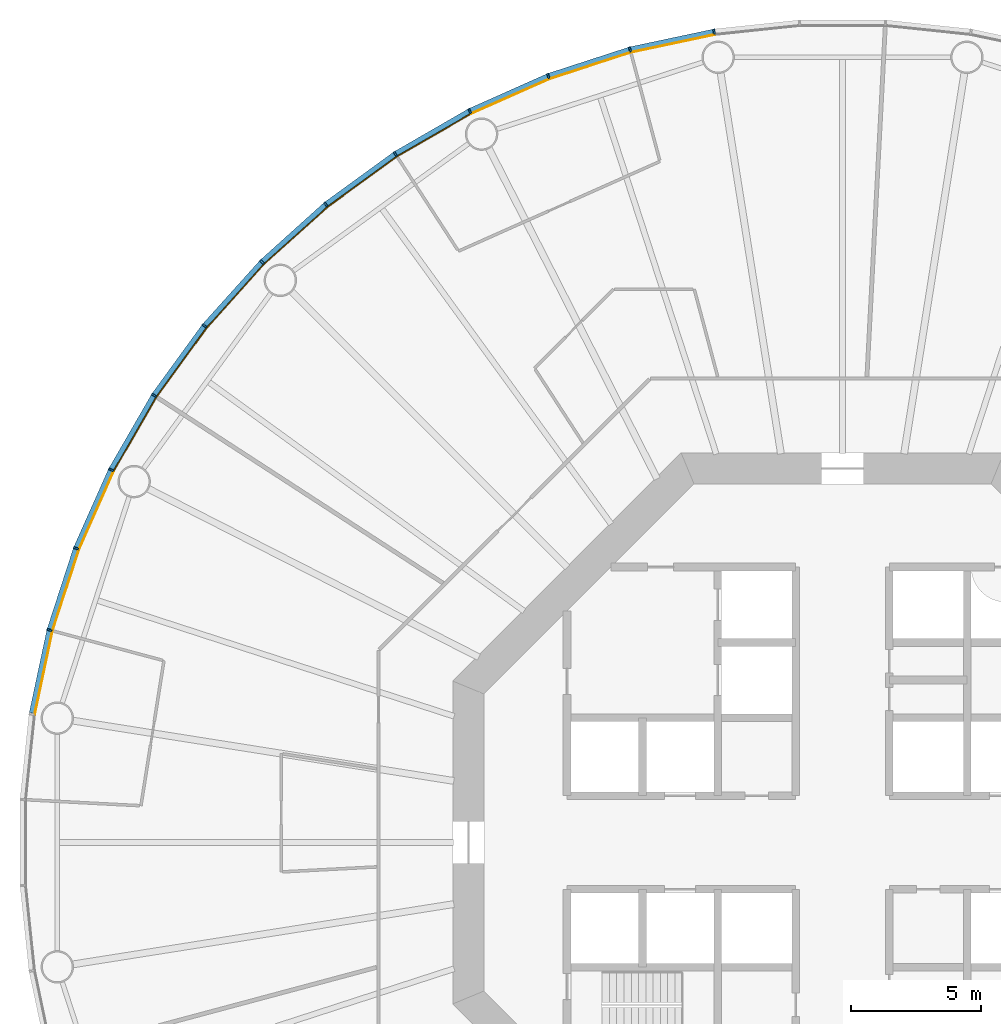
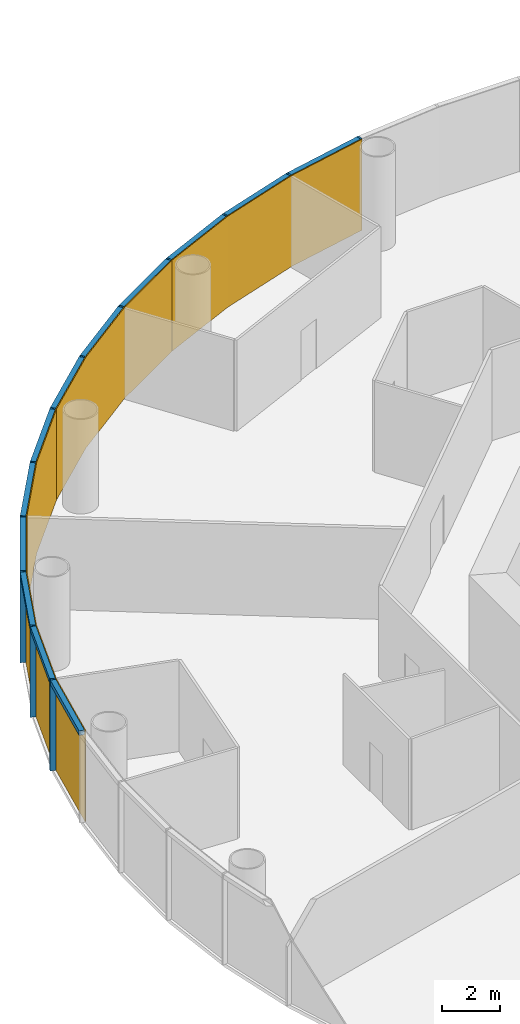
# One storey, part 10 of 13: 24 members, 4 curtain walls.
"""IFC4 building model written with IfcOpenShell, lengths in metres."""

from ifc_helpers import new_model, si_unit, direction, frame, origin, origin_2d, place, context, subcontext, project, spatial, polyline, rectangle, outline, extrude, material, layer, layer_set, material_profile, profile_set, type_object, element, aggregate, save


model = new_model("IFC4")

# Units and contexts
model_context = context("Model", 3, precision=1e-05, world=origin(), true_north=direction((0.0, 1.0)))
body_context = subcontext(model_context, "Body", "Model", "MODEL_VIEW")
ifc_project = project(units=[si_unit("LENGTHUNIT", "METRE"), si_unit("AREAUNIT", "SQUARE_METRE"), si_unit("VOLUMEUNIT", "CUBIC_METRE"), si_unit("PLANEANGLEUNIT", "RADIAN"), si_unit("MASSUNIT", "GRAM", prefix="KILO")], contexts=[model_context])

# Member
ifc_material_1 = material(Name="Anodised aluminium", Category="aluminium")
ifc_material_profile_1 = material_profile(ifc_material_1, rectangle(XDim=0.070068359375, YDim=0.199951171875, at=origin_2d()), Name="Mullion 70 x 200 mm anodised aluminium")
ifc_profile_set_1 = profile_set([ifc_material_profile_1], Name="Anodised aluminium")
member_type_1 = type_object("IfcMemberType", Name="Mullion 70 x 200 mm anodised aluminium", PredefinedType="MULLION", material=ifc_profile_set_1)
site_placement = place(None, origin())
building_placement = place(site_placement, origin())
storey_placement = place(building_placement, frame((0.0, 0.0, 84.0)))
member_1_placement = place(storey_placement, frame((85.056640625, 111.2109375, 0.0), z_axis=(0.0, 0.0, 1.0), x_axis=(-0.987688340595, -0.15643446504, 0.0)))
member_1 = element("IfcMember", 1, at=member_1_placement, type_object=member_type_1, Name="MULLION L18-15", PredefinedType="MULLION", context=body_context, shape_type="SweptSolid", body=[
    extrude(rectangle(XDim=0.070068359375, YDim=0.199951171875, at=origin_2d()), origin(), (0.0, 0.0, 1.0), 3.85009765625),
])

member_2_placement = place(storey_placement, frame((81.8212890625, 110.523193359375, 0.0), z_axis=(0.0, 0.0, 1.0), x_axis=(-0.965925826289, -0.258819045103, 0.0)))
member_2 = element("IfcMember", 2, at=member_2_placement, type_object=member_type_1, Name="MULLION L18-16", PredefinedType="MULLION", context=body_context, shape_type="SweptSolid", body=[
    extrude(rectangle(XDim=0.070068359375, YDim=0.199951171875, at=origin_2d()), origin(), (0.0, 0.0, 1.0), 3.85009765625),
])

member_3_placement = place(storey_placement, frame((78.675537109375, 109.501220703125, 0.0), z_axis=(0.0, 0.0, 1.0), x_axis=(-0.933580426497, -0.358367949545, 0.0)))
member_3 = element("IfcMember", 3, at=member_3_placement, type_object=member_type_1, Name="MULLION L18-17", PredefinedType="MULLION", context=body_context, shape_type="SweptSolid", body=[
    extrude(rectangle(XDim=0.070068359375, YDim=0.199951171875, at=origin_2d()), origin(), (0.0, 0.0, 1.0), 3.85009765625),
])

member_4_placement = place(storey_placement, frame((75.65380859375, 108.15576171875, 0.0), z_axis=(0.0, 0.0, 1.0), x_axis=(-0.891006524188, -0.45399049974, 0.0)))
member_4 = element("IfcMember", 4, at=member_4_placement, type_object=member_type_1, Name="MULLION L18-18", PredefinedType="MULLION", context=body_context, shape_type="SweptSolid", body=[
    extrude(rectangle(XDim=0.070068359375, YDim=0.199951171875, at=origin_2d()), origin(), (0.0, 0.0, 1.0), 3.85009765625),
])

member_5_placement = place(storey_placement, frame((72.789306640625, 106.501953125, 0.0), z_axis=(0.0, 0.0, 1.0), x_axis=(-0.838670567945, -0.544639035015, 0.0)))
member_5 = element("IfcMember", 5, at=member_5_placement, type_object=member_type_1, Name="MULLION L18-19", PredefinedType="MULLION", context=body_context, shape_type="SweptSolid", body=[
    extrude(rectangle(XDim=0.070068359375, YDim=0.199951171875, at=origin_2d()), origin(), (0.0, 0.0, 1.0), 3.85009765625),
])

member_6_placement = place(storey_placement, frame((70.113525390625, 104.557861328125, 0.0), z_axis=(0.0, 0.0, 1.0), x_axis=(-0.777145961457, -0.62932039105, 0.0)))
member_6 = element("IfcMember", 6, at=member_6_placement, type_object=member_type_1, Name="MULLION L18-20", PredefinedType="MULLION", context=body_context, shape_type="SweptSolid", body=[
    extrude(rectangle(XDim=0.070068359375, YDim=0.199951171875, at=origin_2d()), origin(), (0.0, 0.0, 1.0), 3.85009765625),
])

member_7_placement = place(storey_placement, frame((67.655517578125, 102.344482421875, 0.0), z_axis=(0.0, 0.0, 1.0), x_axis=(-0.707106781187, -0.707106781187, 0.0)))
member_7 = element("IfcMember", 7, at=member_7_placement, type_object=member_type_1, Name="MULLION L18-21", PredefinedType="MULLION", context=body_context, shape_type="SweptSolid", body=[
    extrude(rectangle(XDim=0.070068359375, YDim=0.199951171875, at=origin_2d()), origin(), (0.0, 0.0, 1.0), 3.85009765625),
])

member_8_placement = place(storey_placement, frame((65.442138671875, 99.886474609375, 0.0), z_axis=(0.0, 0.0, 1.0), x_axis=(-0.62932039105, -0.777145961457, 0.0)))
member_8 = element("IfcMember", 8, at=member_8_placement, type_object=member_type_1, Name="MULLION L18-22", PredefinedType="MULLION", context=body_context, shape_type="SweptSolid", body=[
    extrude(rectangle(XDim=0.070068359375, YDim=0.199951171875, at=origin_2d()), origin(), (0.0, 0.0, 1.0), 3.85009765625),
])

member_9_placement = place(storey_placement, frame((63.498046875, 97.210693359375, 0.0), z_axis=(0.0, 0.0, 1.0), x_axis=(-0.544639035015, -0.838670567945, 0.0)))
member_9 = element("IfcMember", 9, at=member_9_placement, type_object=member_type_1, Name="MULLION L18-23", PredefinedType="MULLION", context=body_context, shape_type="SweptSolid", body=[
    extrude(rectangle(XDim=0.070068359375, YDim=0.199951171875, at=origin_2d()), origin(), (0.0, 0.0, 1.0), 3.85009765625),
])

member_10_placement = place(storey_placement, frame((61.84423828125, 94.34619140625, 0.0), z_axis=(0.0, 0.0, 1.0), x_axis=(-0.45399049974, -0.891006524188, 0.0)))
member_10 = element("IfcMember", 10, at=member_10_placement, type_object=member_type_1, Name="MULLION L18-24", PredefinedType="MULLION", context=body_context, shape_type="SweptSolid", body=[
    extrude(rectangle(XDim=0.070068359375, YDim=0.199951171875, at=origin_2d()), origin(), (0.0, 0.0, 1.0), 3.85009765625),
])

member_11_placement = place(storey_placement, frame((60.498779296875, 91.324462890625, 0.0), z_axis=(0.0, 0.0, 1.0), x_axis=(-0.358367949545, -0.933580426497, 0.0)))
member_11 = element("IfcMember", 11, at=member_11_placement, type_object=member_type_1, Name="MULLION L18-25", PredefinedType="MULLION", context=body_context, shape_type="SweptSolid", body=[
    extrude(rectangle(XDim=0.070068359375, YDim=0.199951171875, at=origin_2d()), origin(), (0.0, 0.0, 1.0), 3.85009765625),
])

member_12_placement = place(storey_placement, frame((59.476806640625, 88.1787109375, 0.0), z_axis=(0.0, 0.0, 1.0), x_axis=(-0.258819045103, -0.965925826289, 0.0)))
member_12 = element("IfcMember", 12, at=member_12_placement, type_object=member_type_1, Name="MULLION L18-26", PredefinedType="MULLION", context=body_context, shape_type="SweptSolid", body=[
    extrude(rectangle(XDim=0.070068359375, YDim=0.199951171875, at=origin_2d()), origin(), (0.0, 0.0, 1.0), 3.85009765625),
])

ifc_material_2 = material(Name="Anodised aluminium", Category="aluminium")
ifc_material_profile_2 = material_profile(ifc_material_2, rectangle(XDim=0.199951171875, YDim=0.18994140625, at=origin_2d()), Name="Transom 190 x 200 mm anodised aluminium")
ifc_profile_set_2 = profile_set([ifc_material_profile_2], Name="Anodised aluminium")
member_type_2 = type_object("IfcMemberType", Name="Transom 190 x 200 mm anodised aluminium", PredefinedType="USERDEFINED", material=ifc_profile_set_2)
member_13_placement = place(storey_placement, frame((85.017333984375, 111.20263671875, 3.7548828125), z_axis=(-0.978153082647, -0.207885898771, 0.0), x_axis=(0.207885898771, -0.978153082647, 0.0)))
member_13 = element("IfcMember", 13, at=member_13_placement, type_object=member_type_2, Name="TRANSOM L18-15", ObjectType="TRANSOM", PredefinedType="USERDEFINED", context=body_context, shape_type="SweptSolid", body=[
    extrude(rectangle(XDim=0.199951171875, YDim=0.18994140625, at=origin_2d()), origin(), (0.0, 0.0, 1.0), 3.227294921875),
])

member_14_placement = place(storey_placement, frame((81.782958984375, 110.510986328125, 3.7548828125), z_axis=(-0.951046855117, -0.309046726844, 0.0), x_axis=(0.309046726844, -0.951046855117, 0.0)))
member_14 = element("IfcMember", 14, at=member_14_placement, type_object=member_type_2, Name="TRANSOM L18-16", ObjectType="TRANSOM", PredefinedType="USERDEFINED", context=body_context, shape_type="SweptSolid", body=[
    extrude(rectangle(XDim=0.199951171875, YDim=0.18994140625, at=origin_2d()), origin(), (0.0, 0.0, 1.0), 3.22705078125),
])

member_15_placement = place(storey_placement, frame((78.638671875, 109.48486328125, 3.7548828125), z_axis=(-0.913549291349, -0.406728032322, 0.0), x_axis=(0.406728032322, -0.913549291349, 0.0)))
member_15 = element("IfcMember", 15, at=member_15_placement, type_object=member_type_2, Name="TRANSOM L18-17", ObjectType="TRANSOM", PredefinedType="USERDEFINED", context=body_context, shape_type="SweptSolid", body=[
    extrude(rectangle(XDim=0.199951171875, YDim=0.18994140625, at=origin_2d()), origin(), (0.0, 0.0, 1.0), 3.22705078125),
])

member_16_placement = place(storey_placement, frame((75.618896484375, 108.1357421875, 3.7548828125), z_axis=(-0.866023062494, -0.500004055213, 0.0), x_axis=(0.500004055213, -0.866023062494, 0.0)))
member_16 = element("IfcMember", 16, at=member_16_placement, type_object=member_type_2, Name="TRANSOM L18-18", ObjectType="TRANSOM", PredefinedType="USERDEFINED", context=body_context, shape_type="SweptSolid", body=[
    extrude(rectangle(XDim=0.199951171875, YDim=0.18994140625, at=origin_2d()), origin(), (0.0, 0.0, 1.0), 3.22705078125),
])

member_17_placement = place(storey_placement, frame((72.7568359375, 106.478515625, 3.7548828125), z_axis=(-0.809004252048, -0.587802790201, 0.0), x_axis=(0.587802790201, -0.809004252048, 0.0)))
member_17 = element("IfcMember", 17, at=member_17_placement, type_object=member_type_2, Name="TRANSOM L18-19", ObjectType="TRANSOM", PredefinedType="USERDEFINED", context=body_context, shape_type="SweptSolid", body=[
    extrude(rectangle(XDim=0.199951171875, YDim=0.18994140625, at=origin_2d()), origin(), (0.0, 0.0, 1.0), 3.227294921875),
])

member_18_placement = place(storey_placement, frame((70.08349609375, 104.531005859375, 3.7548828125), z_axis=(-0.743132370743, -0.669144438484, 0.0), x_axis=(0.669144438484, -0.743132370743, 0.0)))
member_18 = element("IfcMember", 18, at=member_18_placement, type_object=member_type_2, Name="TRANSOM L18-20", ObjectType="TRANSOM", PredefinedType="USERDEFINED", context=body_context, shape_type="SweptSolid", body=[
    extrude(rectangle(XDim=0.199951171875, YDim=0.18994140625, at=origin_2d()), origin(), (0.0, 0.0, 1.0), 3.22705078125),
])

member_19_placement = place(storey_placement, frame((67.62841796875, 102.314697265625, 3.7548828125), z_axis=(-0.669144438484, -0.743132370743, 0.0), x_axis=(0.743132370743, -0.669144438484, 0.0)))
member_19 = element("IfcMember", 19, at=member_19_placement, type_object=member_type_2, Name="TRANSOM L18-21", ObjectType="TRANSOM", PredefinedType="USERDEFINED", context=body_context, shape_type="SweptSolid", body=[
    extrude(rectangle(XDim=0.199951171875, YDim=0.18994140625, at=origin_2d()), origin(), (0.0, 0.0, 1.0), 3.22705078125),
])

member_20_placement = place(storey_placement, frame((65.41845703125, 99.85400390625, 3.7548828125), z_axis=(-0.587802790201, -0.809004252048, 0.0), x_axis=(0.809004252048, -0.587802790201, 0.0)))
member_20 = element("IfcMember", 20, at=member_20_placement, type_object=member_type_2, Name="TRANSOM L18-22", ObjectType="TRANSOM", PredefinedType="USERDEFINED", context=body_context, shape_type="SweptSolid", body=[
    extrude(rectangle(XDim=0.199951171875, YDim=0.18994140625, at=origin_2d()), origin(), (0.0, 0.0, 1.0), 3.227294921875),
])

member_21_placement = place(storey_placement, frame((63.477783203125, 97.17578125, 3.7548828125), z_axis=(-0.500004055213, -0.866023062494, 0.0), x_axis=(0.866023062494, -0.500004055213, 0.0)))
member_21 = element("IfcMember", 21, at=member_21_placement, type_object=member_type_2, Name="TRANSOM L18-23", ObjectType="TRANSOM", PredefinedType="USERDEFINED", context=body_context, shape_type="SweptSolid", body=[
    extrude(rectangle(XDim=0.199951171875, YDim=0.18994140625, at=origin_2d()), origin(), (0.0, 0.0, 1.0), 3.22705078125),
])

member_22_placement = place(storey_placement, frame((61.82763671875, 94.309326171875, 3.7548828125), z_axis=(-0.406728032322, -0.913549291349, 0.0), x_axis=(0.913549291349, -0.406728032322, 0.0)))
member_22 = element("IfcMember", 22, at=member_22_placement, type_object=member_type_2, Name="TRANSOM L18-24", ObjectType="TRANSOM", PredefinedType="USERDEFINED", context=body_context, shape_type="SweptSolid", body=[
    extrude(rectangle(XDim=0.199951171875, YDim=0.18994140625, at=origin_2d()), origin(), (0.0, 0.0, 1.0), 3.22705078125),
])

member_23_placement = place(storey_placement, frame((60.486328125, 91.2861328125, 3.7548828125), z_axis=(-0.309046726844, -0.951046855117, 0.0), x_axis=(0.951046855117, -0.309046726844, 0.0)))
member_23 = element("IfcMember", 23, at=member_23_placement, type_object=member_type_2, Name="TRANSOM L18-25", ObjectType="TRANSOM", PredefinedType="USERDEFINED", context=body_context, shape_type="SweptSolid", body=[
    extrude(rectangle(XDim=0.199951171875, YDim=0.18994140625, at=origin_2d()), origin(), (0.0, 0.0, 1.0), 3.22705078125),
])

member_24_placement = place(storey_placement, frame((59.46826171875, 88.139404296875, 3.7548828125), z_axis=(-0.207885898771, -0.978153082647, 0.0), x_axis=(0.978153082647, -0.207885898771, 0.0)))
member_24 = element("IfcMember", 24, at=member_24_placement, type_object=member_type_2, Name="TRANSOM L18-26", ObjectType="TRANSOM", PredefinedType="USERDEFINED", context=body_context, shape_type="SweptSolid", body=[
    extrude(rectangle(XDim=0.199951171875, YDim=0.18994140625, at=origin_2d()), origin(), (0.0, 0.0, 1.0), 3.227294921875),
])

# Site, building, storey
site = spatial("IfcSite", under=ifc_project, at=site_placement, CompositionType="ELEMENT")
building = spatial("IfcBuilding", under=site, at=building_placement, Name="Entoto Ring Tower", CompositionType="ELEMENT")
storey = spatial("IfcBuildingStorey", under=building, at=storey_placement, Name="L18", CompositionType="ELEMENT", Elevation=84.0)

# Curtain wall
ifc_material_3 = material(Name="Clear low-iron glass", Category="glass")
ifc_layer = layer(ifc_material_3, 0.035888671875)
ifc_layer_set = layer_set([ifc_layer], Name="Clear low-iron glass")
curtain_wall_type = type_object("IfcCurtainWallType", Name="Curtain wall system CW2 glazing 36 mm", PredefinedType="NOTDEFINED", material=ifc_layer_set)
curtain_wall_1_placement = place(storey_placement, origin())
curtain_wall_1 = element("IfcCurtainWall", 25, at=curtain_wall_1_placement, inside=storey, type_object=curtain_wall_type, Name="CW2 L18-06", PredefinedType="NOTDEFINED", context=body_context, shape_type="SweptSolid", body=[
    extrude(outline(polyline([(85.072265625, 111.1123046875), (81.84716796875, 110.4267578125), (78.71142578125, 109.40771484375), (75.69921875, 108.066650390625), (75.715576171875, 108.03466796875), (78.724365234375, 109.3740234375), (81.8564453125, 110.391845703125), (85.077880859375, 111.07666015625), (85.072265625, 111.1123046875)])), origin(), (0.0, 0.0, 1.0), 3.85009765625),
])

aggregate(curtain_wall_1, [member_1, member_2, member_3, member_13, member_14, member_15])

curtain_wall_2_placement = place(storey_placement, origin())
curtain_wall_2 = element("IfcCurtainWall", 26, at=curtain_wall_2_placement, inside=storey, type_object=curtain_wall_type, Name="CW2 L18-07", PredefinedType="NOTDEFINED", context=body_context, shape_type="SweptSolid", body=[
    extrude(outline(polyline([(75.69921875, 108.066650390625), (72.84375, 106.418212890625), (70.176513671875, 104.47998046875), (67.72607421875, 102.27392578125), (67.751708984375, 102.248291015625), (70.198974609375, 104.4521484375), (72.863525390625, 106.387939453125), (75.715576171875, 108.03466796875), (75.69921875, 108.066650390625)])), origin(), (0.0, 0.0, 1.0), 3.85009765625),
])

aggregate(curtain_wall_2, [member_4, member_5, member_6, member_16, member_17, member_18])

curtain_wall_3_placement = place(storey_placement, origin())
curtain_wall_3 = element("IfcCurtainWall", 27, at=curtain_wall_3_placement, inside=storey, type_object=curtain_wall_type, Name="CW2 L18-08", PredefinedType="NOTDEFINED", context=body_context, shape_type="SweptSolid", body=[
    extrude(outline(polyline([(67.72607421875, 102.27392578125), (65.52001953125, 99.823486328125), (63.581787109375, 97.15625), (61.933349609375, 94.30078125), (61.96533203125, 94.284423828125), (63.612060546875, 97.136474609375), (65.5478515625, 99.801025390625), (67.751708984375, 102.248291015625), (67.72607421875, 102.27392578125)])), origin(), (0.0, 0.0, 1.0), 3.85009765625),
])

aggregate(curtain_wall_3, [member_7, member_8, member_9, member_19, member_20, member_21])

curtain_wall_4_placement = place(storey_placement, origin())
curtain_wall_4 = element("IfcCurtainWall", 28, at=curtain_wall_4_placement, inside=storey, type_object=curtain_wall_type, Name="CW2 L18-09", PredefinedType="NOTDEFINED", context=body_context, shape_type="SweptSolid", body=[
    extrude(outline(polyline([(61.933349609375, 94.30078125), (60.59228515625, 91.28857421875), (59.5732421875, 88.15283203125), (58.8876953125, 84.927734375), (58.92333984375, 84.922119140625), (59.608154296875, 88.1435546875), (60.6259765625, 91.275634765625), (61.96533203125, 94.284423828125), (61.933349609375, 94.30078125)])), origin(), (0.0, 0.0, 1.0), 3.85009765625),
])

aggregate(curtain_wall_4, [member_10, member_11, member_12, member_22, member_23, member_24])

save(model, "model.ifc")
